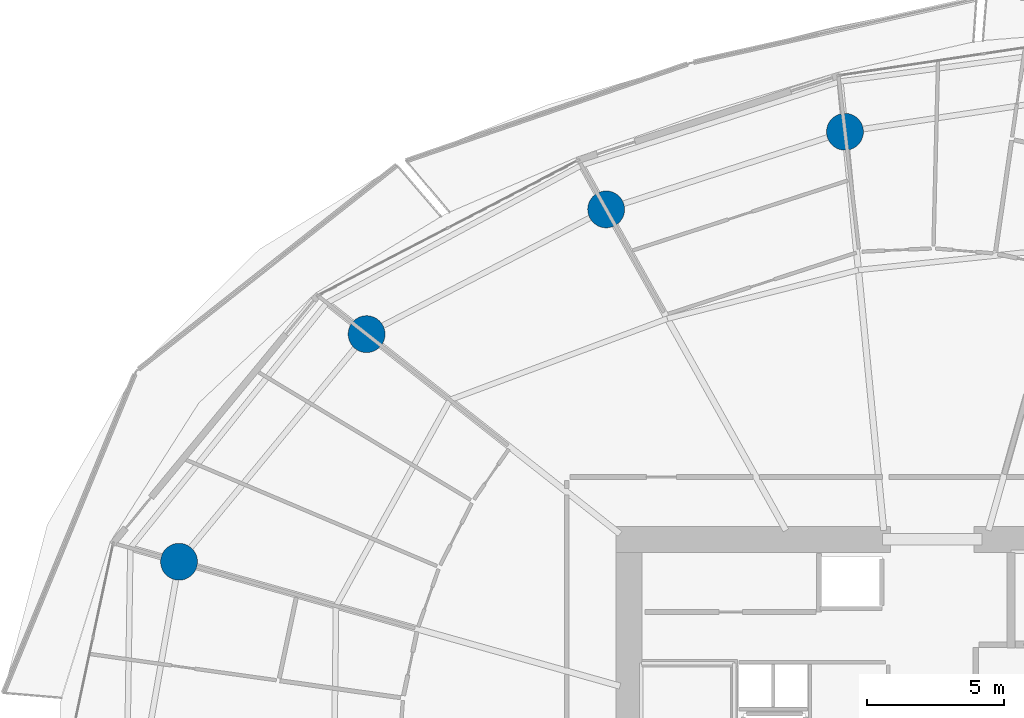
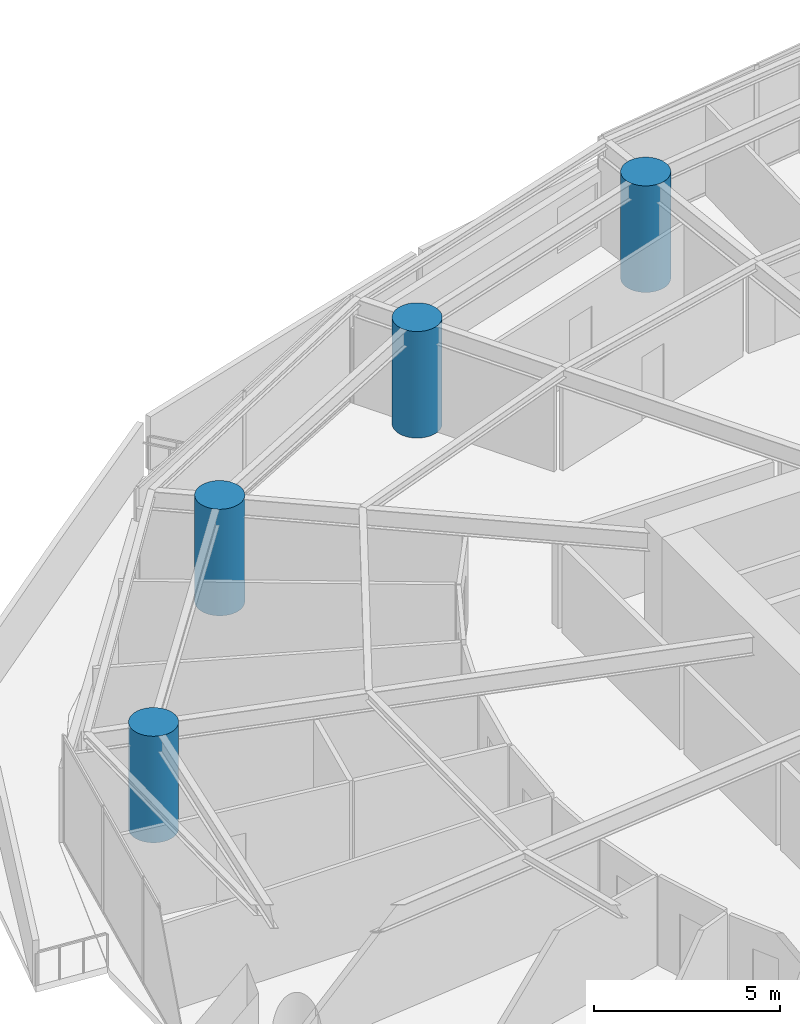
# One storey, part 4 of 31: 4 columns.
"""IFC4 building model written with IfcOpenShell, lengths in metres."""

from ifc_helpers import new_model, si_unit, direction, frame, origin, origin_2d, place, context, subcontext, project, spatial, circle, extrude, material, material_profile, profile_set, type_object, element, save


model = new_model("IFC4")

# Units and contexts
model_context = context("Model", 3, precision=1e-05, world=origin(), true_north=direction((0.0, 1.0)))
body_context = subcontext(model_context, "Body", "Model", "MODEL_VIEW")
ifc_project = project(units=[si_unit("LENGTHUNIT", "METRE"), si_unit("AREAUNIT", "SQUARE_METRE"), si_unit("VOLUMEUNIT", "CUBIC_METRE"), si_unit("PLANEANGLEUNIT", "RADIAN"), si_unit("MASSUNIT", "GRAM", prefix="KILO")], contexts=[model_context])

# Site, building, storey
site_placement = place(None, origin())
site = spatial("IfcSite", under=ifc_project, at=site_placement, CompositionType="ELEMENT")
building_placement = place(site_placement, origin())
building = spatial("IfcBuilding", under=site, at=building_placement, Name="Kazma Halo Residences", CompositionType="ELEMENT")
storey_placement = place(building_placement, frame((0.0, 0.0, 48.89990234375)))
storey = spatial("IfcBuildingStorey", under=building, at=storey_placement, Name="L11", CompositionType="ELEMENT", Elevation=48.89990234375)

# Columns
ifc_material = material(Name="Concrete C80/95", Category="concrete")
ifc_material_profile = material_profile(ifc_material, circle(Radius=0.675048828125, at=origin_2d()), Name="CIRC1350")
ifc_profile_set = profile_set([ifc_material_profile], Name="Concrete C80/95")
column_type = type_object("IfcColumnType", Name="COL-PERIM-1350", PredefinedType="COLUMN", material=ifc_profile_set)
for number, where, z_axis, x_axis, name in (
    (1, (45.231689453125, 65.389404296875, 0.0), (0.0, 0.0, 1.0), (1.0, 0.0, 0.0), "L11 perimeter ring column P04"),
    (2, (36.49169921875, 62.549560546875, 0.0), (0.0, 0.0, 1.0), (1.0, 0.0, 0.0), "L11 perimeter ring column P05"),
    (3, (27.72412109375, 57.984130859375, 0.0), (0.0, 0.0, 1.0), (1.0, 0.0, 0.0), "L11 perimeter ring column P06"),
    (4, (20.859130859375, 49.654541015625, 0.0), (0.0, 0.0, 1.0), (1.0, 0.0, 0.0), "L11 perimeter ring column P07"),
):
    element("IfcColumn", number, at=place(storey_placement, frame(where, z_axis=z_axis, x_axis=x_axis)), inside=storey, type_object=column_type, Name=name, PredefinedType="COLUMN", context=body_context, shape_type="SweptSolid", body=[
        extrude(circle(Radius=0.675048828125, at=origin_2d()), origin(), (0.0, 0.0, 1.0), 3.5),
    ])

save(model, "model.ifc")
